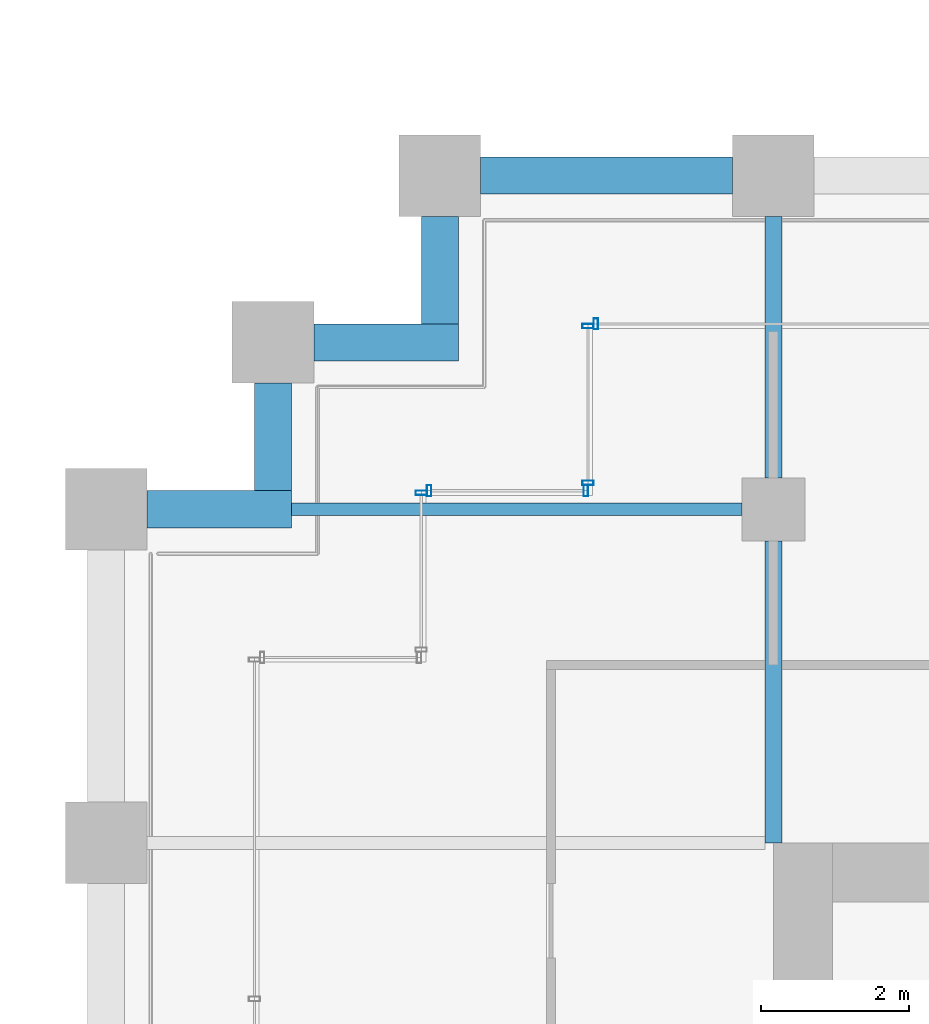
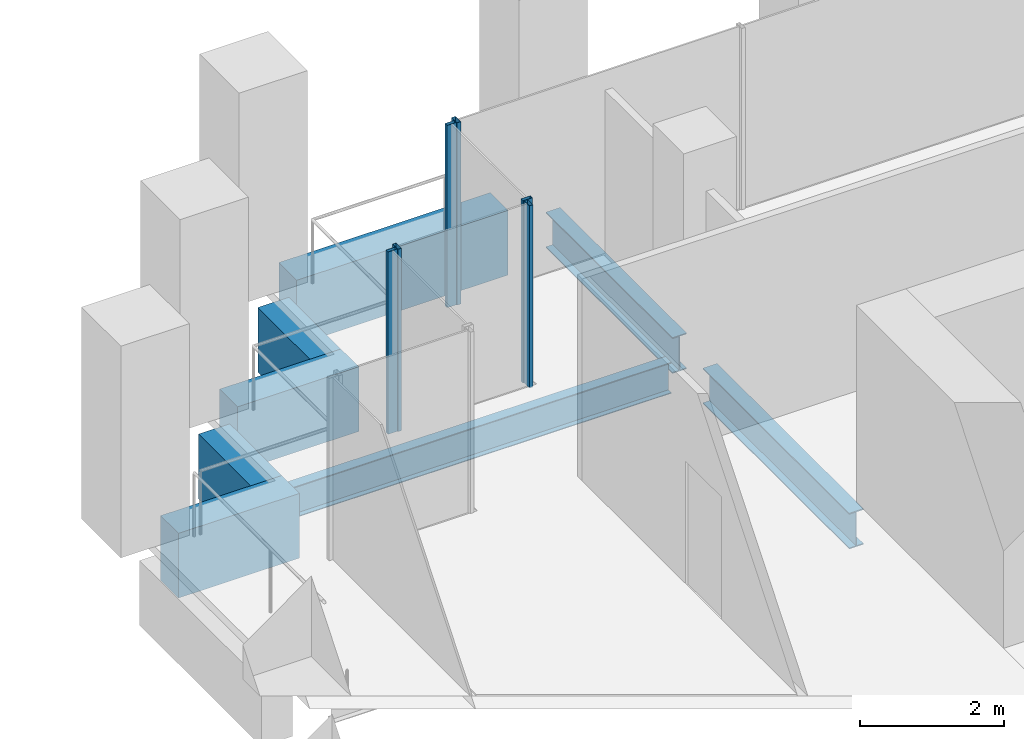
# One storey, part 41 of 56: 8 beams, 6 members, 4 elements without a shape of their own.
"""IFC4 building model written with IfcOpenShell, lengths in metres."""

from ifc_helpers import new_model, si_unit, direction, frame, origin, origin_2d, place, context, subcontext, project, spatial, rectangle, hollow_rectangle, i_section, extrude, material, material_profile, profile_set, type_object, element, aggregate, save


model = new_model("IFC4")

# Units and contexts
model_context = context("Model", 3, precision=1e-05, world=origin(), true_north=direction((0.0, 1.0)))
body_context = subcontext(model_context, "Body", "Model", "MODEL_VIEW")
ifc_project = project(units=[si_unit("LENGTHUNIT", "METRE"), si_unit("AREAUNIT", "SQUARE_METRE"), si_unit("VOLUMEUNIT", "CUBIC_METRE"), si_unit("PLANEANGLEUNIT", "RADIAN"), si_unit("MASSUNIT", "GRAM", prefix="KILO")], contexts=[model_context])

# Site, building, storey
site_placement = place(None, origin())
site = spatial("IfcSite", under=ifc_project, at=site_placement, CompositionType="ELEMENT")
building_placement = place(site_placement, origin())
building = spatial("IfcBuilding", under=site, at=building_placement, Name="Altepetl Exchange Towers", CompositionType="ELEMENT")
storey_placement = place(building_placement, frame((0.0, 0.0, 72.60009765625)))
storey = spatial("IfcBuildingStorey", under=building, at=storey_placement, Name="L17", CompositionType="ELEMENT", Elevation=72.60009765625)

# Beams
ifc_material_1 = material(Name="Steel S355", Category="steel")
ifc_material_profile_1 = material_profile(ifc_material_1, i_section(OverallWidth=0.166015625, OverallDepth=0.529052734375, WebThickness=0.009765625, FlangeThickness=0.013671875, at=origin_2d()), Name="W21X50")
ifc_profile_set_1 = profile_set([ifc_material_profile_1], Name="Steel S355")
beam_type_1 = type_object("IfcBeamType", Name="Floor beam W21X50", PredefinedType="BEAM", material=ifc_profile_set_1)
beam_1_placement = place(storey_placement, frame((97.0, 54.0, -0.41455078125), z_axis=(1.0, 0.0, 0.0), x_axis=(0.0, 1.0, 0.0)))
element("IfcBeam", 1, at=beam_1_placement, inside=storey, type_object=beam_type_1, Name="bm:B:L17:015", PredefinedType="BEAM", context=body_context, shape_type="SweptSolid", body=[
    extrude(i_section(OverallWidth=0.166015625, OverallDepth=0.529052734375, WebThickness=0.009765625, FlangeThickness=0.013671875, at=origin_2d()), origin(), (0.0, 0.0, 1.0), 6.074951171875),
])
ifc_material_profile_2 = material_profile(ifc_material_1, i_section(OverallWidth=0.22802734375, OverallDepth=0.60791015625, WebThickness=0.01123046875, FlangeThickness=0.017333984375, at=origin_2d()), Name="W24X76")
ifc_profile_set_2 = profile_set([ifc_material_profile_2], Name="Steel S355")
beam_type_2 = type_object("IfcBeamType", Name="Girder W24X76", PredefinedType="BEAM", material=ifc_profile_set_2)
beam_2_placement = place(storey_placement, frame((103.5, 57.949951171875, -0.4541015625), z_axis=(0.0, -1.0, 0.0), x_axis=(1.0, 0.0, 0.0)))
element("IfcBeam", 2, at=beam_2_placement, inside=storey, type_object=beam_type_2, Name="gd:B:L17:002", PredefinedType="BEAM", context=body_context, shape_type="SweptSolid", body=[
    extrude(i_section(OverallWidth=0.22802734375, OverallDepth=0.60791015625, WebThickness=0.01123046875, FlangeThickness=0.017333984375, at=origin_2d()), origin(), (0.0, 0.0, 1.0), 3.52490234375),
])
beam_3_placement = place(storey_placement, frame((103.5, 53.574951171875, -0.4541015625), z_axis=(0.0, -1.0, 0.0), x_axis=(1.0, 0.0, 0.0)))
element("IfcBeam", 3, at=beam_3_placement, inside=storey, type_object=beam_type_2, Name="gd:B:L17:003", PredefinedType="BEAM", context=body_context, shape_type="SweptSolid", body=[
    extrude(i_section(OverallWidth=0.22802734375, OverallDepth=0.60791015625, WebThickness=0.01123046875, FlangeThickness=0.017333984375, at=origin_2d()), origin(), (0.0, 0.0, 1.0), 4.074951171875),
])

# Curtain wall, member
ifc_material_2 = material(Name="Aluminium 6063-T6 glazing", Category="aluminium")
curtain_wall_type = type_object("IfcCurtainWallType", Name="Loggia glazing system", PredefinedType="NOTDEFINED", material=ifc_material_2)
curtain_wall_1_placement = place(storey_placement, origin())
curtain_wall_1 = element("IfcCurtainWall", 4, at=curtain_wall_1_placement, inside=storey, type_object=curtain_wall_type, Name="CW1 run", PredefinedType="NOTDEFINED")
ifc_material_3 = material(Name="Aluminium 6063-T6", Category="aluminium")
ifc_material_profile_3 = material_profile(ifc_material_3, hollow_rectangle(XDim=0.06005859375, YDim=0.14990234375, WallThickness=0.0029296875, at=origin_2d()), Name="Mullion 60x150 aluminium")
ifc_profile_set_3 = profile_set([ifc_material_profile_3], Name="Aluminium 6063-T6")
member_type = type_object("IfcMemberType", Name="Mullion 60x150 aluminium", PredefinedType="MULLION", material=ifc_profile_set_3)
member_1_placement = place(storey_placement, frame((101.10498046875, 56.5, 0.0), z_axis=(0.0, 0.0, 1.0), x_axis=(-1.0, 0.0, 0.0)))
member_1 = element("IfcMember", 5, at=member_1_placement, type_object=member_type, Name="MU1 mullion", PredefinedType="MULLION", context=body_context, shape_type="SweptSolid", body=[
    extrude(hollow_rectangle(XDim=0.06005859375, YDim=0.14990234375, WallThickness=0.0029296875, at=origin_2d()), origin(), (0.0, 0.0, 1.0), 3.099853515625),
])
aggregate(curtain_wall_1, [member_1])

# Curtain wall, members
curtain_wall_2_placement = place(storey_placement, origin())
curtain_wall_2 = element("IfcCurtainWall", 6, at=curtain_wall_2_placement, inside=storey, type_object=curtain_wall_type, Name="CW1 run", PredefinedType="NOTDEFINED")
member_2_placement = place(storey_placement, frame((101.0, 56.469970703125, 0.0), z_axis=(0.0, 0.0, 1.0), x_axis=(0.0, -1.0, 0.0)))
member_2 = element("IfcMember", 7, at=member_2_placement, type_object=member_type, Name="MU1 mullion", PredefinedType="MULLION", context=body_context, shape_type="SweptSolid", body=[
    extrude(hollow_rectangle(XDim=0.06005859375, YDim=0.14990234375, WallThickness=0.0029296875, at=origin_2d()), origin(), (0.0, 0.0, 1.0), 3.099853515625),
])
member_3_placement = place(storey_placement, frame((101.0, 54.35498046875, 0.0), z_axis=(0.0, 0.0, 1.0), x_axis=(0.0, -1.0, 0.0)))
member_3 = element("IfcMember", 8, at=member_3_placement, type_object=member_type, Name="MU1 mullion", PredefinedType="MULLION", context=body_context, shape_type="SweptSolid", body=[
    extrude(hollow_rectangle(XDim=0.06005859375, YDim=0.14990234375, WallThickness=0.0029296875, at=origin_2d()), origin(), (0.0, 0.0, 1.0), 3.099853515625),
])
aggregate(curtain_wall_2, [member_2, member_3])

curtain_wall_3_placement = place(storey_placement, origin())
curtain_wall_3 = element("IfcCurtainWall", 9, at=curtain_wall_3_placement, inside=storey, type_object=curtain_wall_type, Name="CW1 run", PredefinedType="NOTDEFINED")
member_4_placement = place(storey_placement, frame((100.969970703125, 54.25, 0.0), z_axis=(0.0, 0.0, 1.0), x_axis=(-1.0, 0.0, 0.0)))
member_4 = element("IfcMember", 10, at=member_4_placement, type_object=member_type, Name="MU1 mullion", PredefinedType="MULLION", context=body_context, shape_type="SweptSolid", body=[
    extrude(hollow_rectangle(XDim=0.06005859375, YDim=0.14990234375, WallThickness=0.0029296875, at=origin_2d()), origin(), (0.0, 0.0, 1.0), 3.099853515625),
])
member_5_placement = place(storey_placement, frame((98.85498046875, 54.25, 0.0), z_axis=(0.0, 0.0, 1.0), x_axis=(-1.0, 0.0, 0.0)))
member_5 = element("IfcMember", 11, at=member_5_placement, type_object=member_type, Name="MU1 mullion", PredefinedType="MULLION", context=body_context, shape_type="SweptSolid", body=[
    extrude(hollow_rectangle(XDim=0.06005859375, YDim=0.14990234375, WallThickness=0.0029296875, at=origin_2d()), origin(), (0.0, 0.0, 1.0), 3.099853515625),
])
aggregate(curtain_wall_3, [member_4, member_5])

# Curtain wall, member
curtain_wall_4_placement = place(storey_placement, origin())
curtain_wall_4 = element("IfcCurtainWall", 12, at=curtain_wall_4_placement, inside=storey, type_object=curtain_wall_type, Name="CW1 run", PredefinedType="NOTDEFINED")
member_6_placement = place(storey_placement, frame((98.75, 54.219970703125, 0.0), z_axis=(0.0, 0.0, 1.0), x_axis=(0.0, -1.0, 0.0)))
member_6 = element("IfcMember", 13, at=member_6_placement, type_object=member_type, Name="MU1 mullion", PredefinedType="MULLION", context=body_context, shape_type="SweptSolid", body=[
    extrude(hollow_rectangle(XDim=0.06005859375, YDim=0.14990234375, WallThickness=0.0029296875, at=origin_2d()), origin(), (0.0, 0.0, 1.0), 3.099853515625),
])
aggregate(curtain_wall_4, [member_6])

# Beams
ifc_material_4 = material(Name="Concrete C50/60 precast with cantera rosa facing", Category="concrete")
ifc_material_profile_4 = material_profile(ifc_material_4, rectangle(XDim=0.5, YDim=1.10009765625, at=origin_2d()), Name="500 x 1100")
ifc_profile_set_4 = profile_set([ifc_material_profile_4], Name="Concrete C50/60 precast with cantera rosa facing")
beam_type_3 = type_object("IfcBeamType", Name="Spandrel beam 500x1100 cantera rosa", PredefinedType="SPANDREL", material=ifc_profile_set_4)
beam_4_placement = place(storey_placement, frame((102.949951171875, 58.5, -0.7001953125), z_axis=(-1.0, 0.0, 0.0), x_axis=(0.0, -1.0, 0.0)))
element("IfcBeam", 14, at=beam_4_placement, inside=storey, type_object=beam_type_3, Name="sp:B:L17:022", PredefinedType="SPANDREL", context=body_context, shape_type="SweptSolid", body=[
    extrude(rectangle(XDim=0.5, YDim=1.10009765625, at=origin_2d()), origin(), (0.0, 0.0, 1.0), 3.39990234375),
])
beam_5_placement = place(storey_placement, frame((99.0, 57.949951171875, -0.7001953125), z_axis=(0.0, -1.0, 0.0), x_axis=(1.0, 0.0, 0.0)))
element("IfcBeam", 15, at=beam_5_placement, inside=storey, type_object=beam_type_3, Name="sp:B:L17:023", PredefinedType="SPANDREL", context=body_context, shape_type="SweptSolid", body=[
    extrude(rectangle(XDim=0.5, YDim=1.10009765625, at=origin_2d()), origin(), (0.0, 0.0, 1.0), 1.449951171875),
])
beam_6_placement = place(storey_placement, frame((99.25, 56.25, -0.7001953125), z_axis=(-1.0, 0.0, 0.0), x_axis=(0.0, -1.0, 0.0)))
element("IfcBeam", 16, at=beam_6_placement, inside=storey, type_object=beam_type_3, Name="sp:B:L17:024", PredefinedType="SPANDREL", context=body_context, shape_type="SweptSolid", body=[
    extrude(rectangle(XDim=0.5, YDim=1.10009765625, at=origin_2d()), origin(), (0.0, 0.0, 1.0), 1.949951171875),
])
beam_7_placement = place(storey_placement, frame((96.75, 55.699951171875, -0.7001953125), z_axis=(0.0, -1.0, 0.0), x_axis=(1.0, 0.0, 0.0)))
element("IfcBeam", 17, at=beam_7_placement, inside=storey, type_object=beam_type_3, Name="sp:B:L17:025", PredefinedType="SPANDREL", context=body_context, shape_type="SweptSolid", body=[
    extrude(rectangle(XDim=0.5, YDim=1.10009765625, at=origin_2d()), origin(), (0.0, 0.0, 1.0), 1.449951171875),
])
beam_8_placement = place(storey_placement, frame((97.0, 54.0, -0.7001953125), z_axis=(-1.0, 0.0, 0.0), x_axis=(0.0, -1.0, 0.0)))
element("IfcBeam", 18, at=beam_8_placement, inside=storey, type_object=beam_type_3, Name="sp:B:L17:026", PredefinedType="SPANDREL", context=body_context, shape_type="SweptSolid", body=[
    extrude(rectangle(XDim=0.5, YDim=1.10009765625, at=origin_2d()), origin(), (0.0, 0.0, 1.0), 1.949951171875),
])

save(model, "model.ifc")
